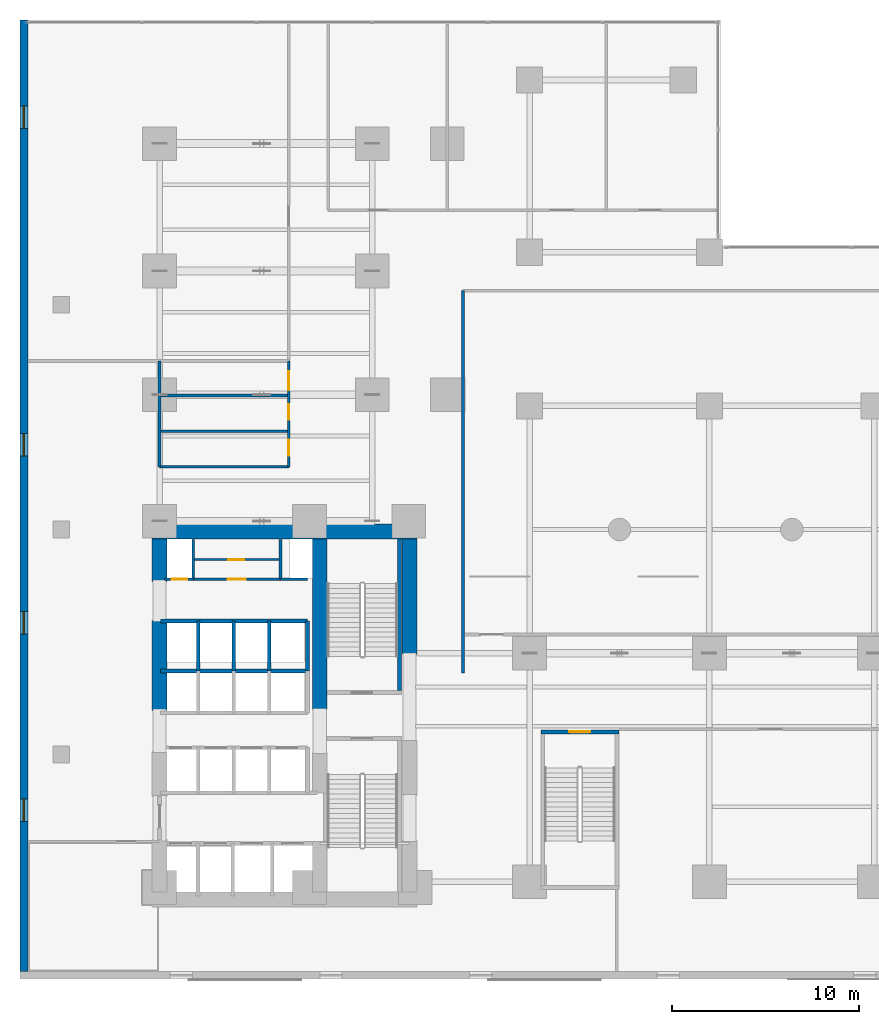
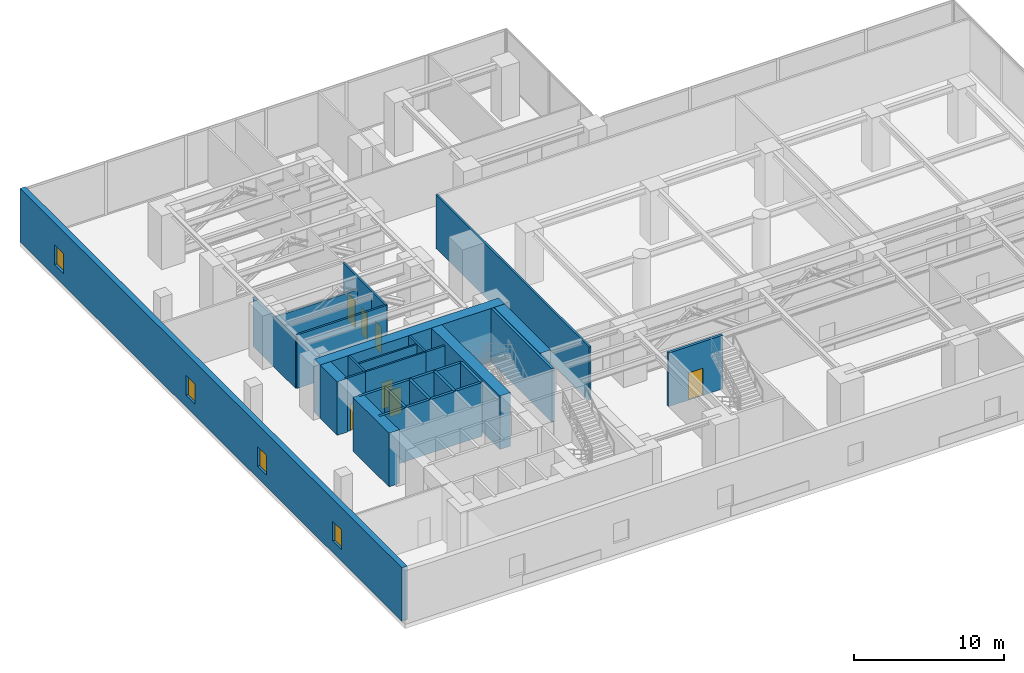
# One storey, part 15 of 18: 26 walls, 7 doors, 4 windows, 11 openings.
"""IFC4 building model written with IfcOpenShell, lengths in metres."""

from ifc_helpers import new_model, si_unit, direction, frame, frame_2d, origin, place, context, subcontext, project, spatial, rectangle, extrude, material, layer, layer_set, type_object, element, fill, save


model = new_model("IFC4")

# Units and contexts
model_context = context("Model", 3, precision=1e-05, world=origin(), true_north=direction((0.0, 1.0)))
body_context = subcontext(model_context, "Body", "Model", "MODEL_VIEW")
ifc_project = project(units=[si_unit("LENGTHUNIT", "METRE"), si_unit("AREAUNIT", "SQUARE_METRE"), si_unit("VOLUMEUNIT", "CUBIC_METRE"), si_unit("PLANEANGLEUNIT", "RADIAN"), si_unit("MASSUNIT", "GRAM", prefix="KILO")], contexts=[model_context])

# Site, building, storey
site_placement = place(None, origin())
site = spatial("IfcSite", under=ifc_project, at=site_placement, CompositionType="ELEMENT")
building_placement = place(site_placement, origin())
building = spatial("IfcBuilding", under=site, at=building_placement, Name="Kolvaren Waterfront Exchange", CompositionType="ELEMENT")
storey_placement = place(building_placement, frame((0.0, 0.0, 24.800048828125)))
storey = spatial("IfcBuildingStorey", under=building, at=storey_placement, Name="L06", CompositionType="ELEMENT", Elevation=24.800048828125)

# Wall, openings, windows
ifc_material_1 = material(Name="Precast concrete C40/50", Category="concrete")
ifc_layer_1 = layer(ifc_material_1, 0.419921875, Name="Precast concrete C40/50")
ifc_layer_set_1 = layer_set([ifc_layer_1], Name="Precast concrete C40/50")
wall_type_1 = type_object("IfcWallType", Name="ARC-EXT-GRANITE-420", PredefinedType="SOLIDWALL", material=ifc_layer_set_1)
wall_1_placement = place(storey_placement, frame((0.2099609375, 0.419921875, 0.0), z_axis=(0.0, 0.0, 1.0), x_axis=(0.0, 1.0, 0.0)))
wall_1 = element("IfcWall", 1, at=wall_1_placement, inside=storey, type_object=wall_type_1, Name="L06 west granite precast facade wall", PredefinedType="SOLIDWALL", context=body_context, shape_type="SweptSolid", body=[
    extrude(rectangle(XDim=50.780029296875, YDim=0.419921875, at=frame_2d((25.39013671875, 0.0))), origin(), (0.0, 0.0, 1.0), 4.349853515625),
])
opening_1_placement = place(wall_1_placement, frame((8.0, 0.0, 0.949951171875)))
opening_1 = element("IfcOpeningElement", 2, at=opening_1_placement, cuts=wall_1, Name="Opening W01", PredefinedType="OPENING", context=body_context, shape_type="SweptSolid", body=[
    extrude(rectangle(XDim=1.199951171875, YDim=1.60009765625, at=frame_2d((0.60009765625, 0.800048828125))), frame((0.0, 0.219970703125, 0.0), z_axis=(0.0, -1.0, 0.0), x_axis=(1.0, 0.0, 0.0)), (0.0, 0.0, 1.0), 0.43994140625),
])
opening_2_placement = place(wall_1_placement, frame((18.0, 0.0, 0.949951171875)))
opening_2 = element("IfcOpeningElement", 3, at=opening_2_placement, cuts=wall_1, Name="Opening W01", PredefinedType="OPENING", context=body_context, shape_type="SweptSolid", body=[
    extrude(rectangle(XDim=1.199951171875, YDim=1.60009765625, at=frame_2d((0.60009765625, 0.800048828125))), frame((0.0, 0.219970703125, 0.0), z_axis=(0.0, -1.0, 0.0), x_axis=(1.0, 0.0, 0.0)), (0.0, 0.0, 1.0), 0.43994140625),
])
opening_3_placement = place(wall_1_placement, frame((27.5, 0.0, 0.949951171875)))
opening_3 = element("IfcOpeningElement", 4, at=opening_3_placement, cuts=wall_1, Name="Opening W01", PredefinedType="OPENING", context=body_context, shape_type="SweptSolid", body=[
    extrude(rectangle(XDim=1.199951171875, YDim=1.60009765625, at=frame_2d((0.60009765625, 0.800048828125))), frame((0.0, 0.219970703125, 0.0), z_axis=(0.0, -1.0, 0.0), x_axis=(1.0, 0.0, 0.0)), (0.0, 0.0, 1.0), 0.43994140625),
])
opening_4_placement = place(wall_1_placement, frame((45.0, 0.0, 0.949951171875)))
opening_4 = element("IfcOpeningElement", 5, at=opening_4_placement, cuts=wall_1, Name="Opening W01", PredefinedType="OPENING", context=body_context, shape_type="SweptSolid", body=[
    extrude(rectangle(XDim=1.199951171875, YDim=1.60009765625, at=frame_2d((0.60009765625, 0.800048828125))), frame((0.0, 0.219970703125, 0.0), z_axis=(0.0, -1.0, 0.0), x_axis=(1.0, 0.0, 0.0)), (0.0, 0.0, 1.0), 0.43994140625),
])
ifc_material_2 = material(Name="Bronze solar control vision glass", Category="aluminium")
window_type = type_object("IfcWindowType", Name="ARC-WIN-1200x1600", PartitioningType="SINGLE_PANEL", PredefinedType="WINDOW", material=ifc_material_2)
window_1_placement = place(opening_1_placement, origin())
window_1 = element("IfcWindow", 6, at=window_1_placement, inside=storey, type_object=window_type, Name="L06 west modular window 1", OverallHeight=1.60009765625, OverallWidth=1.199951171875, PartitioningType="SINGLE_PANEL", PredefinedType="WINDOW", context=body_context, shape_type="SweptSolid", body=[
    extrude(rectangle(XDim=1.199951171875, YDim=1.60009765625, at=frame_2d((0.60009765625, 0.800048828125))), frame((0.0, 0.030029296875, 0.0), z_axis=(0.0, -1.0, 0.0), x_axis=(1.0, 0.0, 0.0)), (0.0, 0.0, 1.0), 0.06005859375),
])
fill(opening_1, window_1)
window_2_placement = place(opening_2_placement, origin())
window_2 = element("IfcWindow", 7, at=window_2_placement, inside=storey, type_object=window_type, Name="L06 west modular window 2", OverallHeight=1.60009765625, OverallWidth=1.199951171875, PartitioningType="SINGLE_PANEL", PredefinedType="WINDOW", context=body_context, shape_type="SweptSolid", body=[
    extrude(rectangle(XDim=1.199951171875, YDim=1.60009765625, at=frame_2d((0.60009765625, 0.800048828125))), frame((0.0, 0.030029296875, 0.0), z_axis=(0.0, -1.0, 0.0), x_axis=(1.0, 0.0, 0.0)), (0.0, 0.0, 1.0), 0.06005859375),
])
fill(opening_2, window_2)
window_3_placement = place(opening_3_placement, origin())
window_3 = element("IfcWindow", 8, at=window_3_placement, inside=storey, type_object=window_type, Name="L06 west modular window 3", OverallHeight=1.60009765625, OverallWidth=1.199951171875, PartitioningType="SINGLE_PANEL", PredefinedType="WINDOW", context=body_context, shape_type="SweptSolid", body=[
    extrude(rectangle(XDim=1.199951171875, YDim=1.60009765625, at=frame_2d((0.60009765625, 0.800048828125))), frame((0.0, 0.030029296875, 0.0), z_axis=(0.0, -1.0, 0.0), x_axis=(1.0, 0.0, 0.0)), (0.0, 0.0, 1.0), 0.06005859375),
])
fill(opening_3, window_3)
window_4_placement = place(opening_4_placement, origin())
window_4 = element("IfcWindow", 9, at=window_4_placement, inside=storey, type_object=window_type, Name="L06 west modular window 4", OverallHeight=1.60009765625, OverallWidth=1.199951171875, PartitioningType="SINGLE_PANEL", PredefinedType="WINDOW", context=body_context, shape_type="SweptSolid", body=[
    extrude(rectangle(XDim=1.199951171875, YDim=1.60009765625, at=frame_2d((0.60009765625, 0.800048828125))), frame((0.0, 0.030029296875, 0.0), z_axis=(0.0, -1.0, 0.0), x_axis=(1.0, 0.0, 0.0)), (0.0, 0.0, 1.0), 0.06005859375),
])
fill(opening_4, window_4)

# Wall, opening, door
ifc_material_3 = material(Name="Acoustic gypsum steel stud", Category="steel")
ifc_layer_2 = layer(ifc_material_3, 0.125, Name="Acoustic gypsum steel stud")
ifc_layer_set_2 = layer_set([ifc_layer_2], Name="Acoustic gypsum steel stud")
wall_type_2 = type_object("IfcWallType", Name="ARC-PART-125", PredefinedType="PARTITIONING", material=ifc_layer_set_2)
wall_2_placement = place(storey_placement, frame((9.25, 21.35009765625, 0.0), z_axis=(0.0, 0.0, 1.0), x_axis=(1.0, 0.0, 0.0)))
wall_2 = element("IfcWall", 10, at=wall_2_placement, inside=storey, type_object=wall_type_2, Name="L06 interior wall PW-L06-SVC-EX-S", PredefinedType="PARTITIONING", context=body_context, shape_type="SweptSolid", body=[
    extrude(rectangle(XDim=4.64990234375, YDim=0.125, at=frame_2d((2.324951171875, 0.0))), origin(), (0.0, 0.0, 1.0), 4.349853515625),
])
opening_5_placement = place(wall_2_placement, frame((1.85009765625, 0.0, 0.0)))
opening_5 = element("IfcOpeningElement", 11, at=opening_5_placement, cuts=wall_2, Name="Opening D02", PredefinedType="OPENING", context=body_context, shape_type="SweptSolid", body=[
    extrude(rectangle(XDim=0.949951171875, YDim=2.14990234375, at=frame_2d((0.47509765625, 1.074951171875))), frame((0.0, 0.072509765625, 0.0), z_axis=(0.0, -1.0, 0.0), x_axis=(1.0, 0.0, 0.0)), (0.0, 0.0, 1.0), 0.14501953125),
])
ifc_material_4 = material(Name="Oak veneer acoustic timber", Category="wood")
door_type_1 = type_object("IfcDoorType", Name="ARC-DR-950", OperationType="NOTDEFINED", PredefinedType="DOOR", material=ifc_material_4)
door_1_placement = place(opening_5_placement, origin())
door_1 = element("IfcDoor", 12, at=door_1_placement, inside=storey, type_object=door_type_1, Name="L06 door DR-L06-SVC-DR-1 (D02)", OperationType="SINGLE_SWING_RIGHT", OverallHeight=2.14990234375, OverallWidth=0.949951171875, PredefinedType="DOOR", context=body_context, shape_type="SweptSolid", body=[
    extrude(rectangle(XDim=0.949951171875, YDim=2.14990234375, at=frame_2d((0.47509765625, 1.074951171875))), frame((0.0, 0.02490234375, 0.0), z_axis=(0.0, -1.0, 0.0), x_axis=(1.0, 0.0, 0.0)), (0.0, 0.0, 1.0), 0.050048828125),
])
fill(opening_5, door_1)

wall_3_placement = place(storey_placement, frame((9.25, 22.39990234375, 0.0), z_axis=(0.0, 0.0, 1.0), x_axis=(1.0, 0.0, 0.0)))
wall_3 = element("IfcWall", 13, at=wall_3_placement, inside=storey, type_object=wall_type_2, Name="L06 interior wall PW-L06-SVC-EX-HS", PredefinedType="PARTITIONING", context=body_context, shape_type="SweptSolid", body=[
    extrude(rectangle(XDim=4.64990234375, YDim=0.125, at=frame_2d((2.324951171875, 0.0))), origin(), (0.0, 0.0, 1.0), 4.349853515625),
])
opening_6_placement = place(wall_3_placement, frame((1.875, 0.0, 0.0)))
opening_6 = element("IfcOpeningElement", 14, at=opening_6_placement, cuts=wall_3, Name="Opening D01", PredefinedType="OPENING", context=body_context, shape_type="SweptSolid", body=[
    extrude(rectangle(XDim=0.85009765625, YDim=2.14990234375, at=frame_2d((0.425048828125, 1.074951171875))), frame((0.0, 0.072509765625, 0.0), z_axis=(0.0, -1.0, 0.0), x_axis=(1.0, 0.0, 0.0)), (0.0, 0.0, 1.0), 0.14501953125),
])
ifc_material_5 = material(Name="Oak veneer timber leaf", Category="wood")
door_type_2 = type_object("IfcDoorType", Name="ARC-DR-900", OperationType="NOTDEFINED", PredefinedType="DOOR", material=ifc_material_5)
door_2_placement = place(opening_6_placement, origin())
door_2 = element("IfcDoor", 15, at=door_2_placement, inside=storey, type_object=door_type_2, Name="L06 door DR-L06-SVC-DR-2 (D01)", OperationType="SINGLE_SWING_LEFT", OverallHeight=2.14990234375, OverallWidth=0.85009765625, PredefinedType="DOOR", context=body_context, shape_type="SweptSolid", body=[
    extrude(rectangle(XDim=0.85009765625, YDim=2.14990234375, at=frame_2d((0.425048828125, 1.074951171875))), frame((0.0, 0.02490234375, 0.0), z_axis=(0.0, -1.0, 0.0), x_axis=(1.0, 0.0, 0.0)), (0.0, 0.0, 1.0), 0.050048828125),
])
fill(opening_6, door_2)

# Walls
ifc_material_6 = material(Name="Gypsum fireboard steel stud", Category="steel")
ifc_layer_3 = layer(ifc_material_6, 0.14990234375, Name="Gypsum fireboard steel stud")
ifc_layer_set_3 = layer_set([ifc_layer_3], Name="Gypsum fireboard steel stud")
wall_type_3 = type_object("IfcWallType", Name="ARC-PART-150", PredefinedType="PARTITIONING", material=ifc_layer_set_3)
for number, where, z_axis, x_axis, name in (
    (16, (9.25, 21.35009765625, 0.0), (0.0, 0.0, 1.0), (0.0, 1.0, 0.0), "L06 interior wall PW-L06-SVC-R1"),
    (17, (13.89990234375, 21.35009765625, 0.0), (0.0, 0.0, 1.0), (0.0, 1.0, 0.0), "L06 interior wall PW-L06-SVC-R2"),
):
    element("IfcWall", number, at=place(storey_placement, frame(where, z_axis=z_axis, x_axis=x_axis)), inside=storey, type_object=wall_type_3, Name=name, PredefinedType="PARTITIONING", context=body_context, shape_type="SweptSolid", body=[
        extrude(rectangle(XDim=2.1298828125, YDim=0.14990234375, at=frame_2d((1.06494140625, 0.0))), origin(), (0.0, 0.0, 1.0), 4.349853515625),
    ])

# Wall, opening, door
wall_4_placement = place(storey_placement, frame((7.699951171875, 21.35009765625, 0.0), z_axis=(0.0, 0.0, 1.0), x_axis=(1.0, 0.0, 0.0)))
wall_4 = element("IfcWall", 18, at=wall_4_placement, inside=storey, type_object=wall_type_3, Name="L06 interior wall PW-L06-SVC-RE-S", PredefinedType="PARTITIONING", context=body_context, shape_type="SweptSolid", body=[
    extrude(rectangle(XDim=1.550048828125, YDim=0.14990234375, at=frame_2d((0.77490234375, 0.0))), origin(), (0.0, 0.0, 1.0), 4.349853515625),
])
opening_7_placement = place(wall_4_placement, frame((0.389892578125, 0.0, 0.0)))
opening_7 = element("IfcOpeningElement", 19, at=opening_7_placement, cuts=wall_4, Name="Opening FD1", PredefinedType="OPENING", context=body_context, shape_type="SweptSolid", body=[
    extrude(rectangle(XDim=0.85009765625, YDim=2.14990234375, at=frame_2d((0.425048828125, 1.074951171875))), frame((0.0, 0.0849609375, 0.0), z_axis=(0.0, -1.0, 0.0), x_axis=(1.0, 0.0, 0.0)), (0.0, 0.0, 1.0), 0.169921875),
])
ifc_material_7 = material(Name="Pressed steel fire leaf", Category="steel")
door_type_3 = type_object("IfcDoorType", Name="ARC-FD-900", OperationType="NOTDEFINED", PredefinedType="DOOR", material=ifc_material_7)
door_3_placement = place(opening_7_placement, origin())
door_3 = element("IfcDoor", 20, at=door_3_placement, inside=storey, type_object=door_type_3, Name="L06 door DR-L06-RISER-E-DR (FD1)", OperationType="SINGLE_SWING_LEFT", OverallHeight=2.14990234375, OverallWidth=0.85009765625, PredefinedType="DOOR", context=body_context, shape_type="SweptSolid", body=[
    extrude(rectangle(XDim=0.85009765625, YDim=2.14990234375, at=frame_2d((0.425048828125, 1.074951171875))), frame((0.0, 0.02490234375, 0.0), z_axis=(0.0, -1.0, 0.0), x_axis=(1.0, 0.0, 0.0)), (0.0, 0.0, 1.0), 0.050048828125),
])
fill(opening_7, door_3)

# Walls
wall_5_placement = place(storey_placement, frame((13.89990234375, 21.35009765625, 0.0), z_axis=(0.0, 0.0, 1.0), x_axis=(1.0, 0.0, 0.0)))
element("IfcWall", 21, at=wall_5_placement, inside=storey, type_object=wall_type_3, Name="L06 interior wall PW-L06-SVC-RP-S", PredefinedType="PARTITIONING", context=body_context, shape_type="SweptSolid", body=[
    extrude(rectangle(XDim=1.4501953125, YDim=0.14990234375, at=frame_2d((0.72509765625, 0.0))), origin(), (0.0, 0.0, 1.0), 4.349853515625),
])
wall_6_placement = place(storey_placement, frame((23.64990234375, 16.35009765625, 0.0), z_axis=(0.0, 0.0, 1.0), x_axis=(0.0, 1.0, 0.0)))
element("IfcWall", 22, at=wall_6_placement, inside=storey, type_object=wall_type_3, Name="L06 interior wall PW-L06-POD-HALL-W", PredefinedType="PARTITIONING", context=body_context, shape_type="SweptSolid", body=[
    extrude(rectangle(XDim=20.39990234375, YDim=0.14990234375, at=frame_2d((10.199951171875, 0.0))), origin(), (0.0, 0.0, 1.0), 4.349853515625),
])
ifc_material_8 = material(Name="Moisture-resistant gypsum stud")
ifc_layer_4 = layer(ifc_material_8, 0.14990234375, Name="Moisture-resistant gypsum stud")
ifc_layer_set_4 = layer_set([ifc_layer_4], Name="Moisture-resistant gypsum stud")
wall_type_4 = type_object("IfcWallType", Name="ARC-PLUMB-150", PredefinedType="PLUMBINGWALL", material=ifc_layer_set_4)
wall_7_placement = place(storey_placement, frame((7.449951171875, 27.35009765625, 0.0), z_axis=(0.0, 0.0, 1.0), x_axis=(1.0, 0.0, 0.0)))
element("IfcWall", 23, at=wall_7_placement, inside=storey, type_object=wall_type_4, Name="L06 interior wall PW-L06-WC-S0", PredefinedType="PLUMBINGWALL", context=body_context, shape_type="SweptSolid", body=[
    extrude(rectangle(XDim=6.900146484375, YDim=0.14990234375, at=frame_2d((3.4501953125, 0.0))), origin(), (0.0, 0.0, 1.0), 4.349853515625),
])
wall_8_placement = place(storey_placement, frame((7.449951171875, 27.35009765625, 0.0), z_axis=(0.0, 0.0, 1.0), x_axis=(0.0, 1.0, 0.0)))
element("IfcWall", 24, at=wall_8_placement, inside=storey, type_object=wall_type_4, Name="L06 interior wall PW-L06-WC-W0", PredefinedType="PLUMBINGWALL", context=body_context, shape_type="SweptSolid", body=[
    extrude(rectangle(XDim=5.64990234375, YDim=0.14990234375, at=frame_2d((2.824951171875, 0.0))), origin(), (0.0, 0.0, 1.0), 3.989990234375),
])

# Wall, openings, doors
wall_9_placement = place(storey_placement, frame((14.35009765625, 27.35009765625, 0.0), z_axis=(0.0, 0.0, 1.0), x_axis=(0.0, 1.0, 0.0)))
wall_9 = element("IfcWall", 25, at=wall_9_placement, inside=storey, type_object=wall_type_4, Name="L06 interior wall PW-L06-WC-E", PredefinedType="PLUMBINGWALL", context=body_context, shape_type="SweptSolid", body=[
    extrude(rectangle(XDim=5.64990234375, YDim=0.14990234375, at=frame_2d((2.824951171875, 0.0))), origin(), (0.0, 0.0, 1.0), 4.349853515625),
])
opening_8_placement = place(wall_9_placement, frame((0.60009765625, 0.0, 0.0)))
opening_8 = element("IfcOpeningElement", 26, at=opening_8_placement, cuts=wall_9, Name="Opening D01", PredefinedType="OPENING", context=body_context, shape_type="SweptSolid", body=[
    extrude(rectangle(XDim=0.85009765625, YDim=2.14990234375, at=frame_2d((0.425048828125, 1.074951171875))), frame((0.0, 0.0849609375, 0.0), z_axis=(0.0, -1.0, 0.0), x_axis=(1.0, 0.0, 0.0)), (0.0, 0.0, 1.0), 0.169921875),
])
opening_9_placement = place(wall_9_placement, frame((2.5, 0.0, 0.0)))
opening_9 = element("IfcOpeningElement", 27, at=opening_9_placement, cuts=wall_9, Name="Opening D01", PredefinedType="OPENING", context=body_context, shape_type="SweptSolid", body=[
    extrude(rectangle(XDim=0.85009765625, YDim=2.14990234375, at=frame_2d((0.425048828125, 1.074951171875))), frame((0.0, 0.0849609375, 0.0), z_axis=(0.0, -1.0, 0.0), x_axis=(1.0, 0.0, 0.0)), (0.0, 0.0, 1.0), 0.169921875),
])
opening_10_placement = place(wall_9_placement, frame((4.10009765625, 0.0, 0.0)))
opening_10 = element("IfcOpeningElement", 28, at=opening_10_placement, cuts=wall_9, Name="Opening D03", PredefinedType="OPENING", context=body_context, shape_type="SweptSolid", body=[
    extrude(rectangle(XDim=1.0, YDim=2.199951171875, at=frame_2d((0.5, 1.10009765625))), frame((0.0, 0.0849609375, 0.0), z_axis=(0.0, -1.0, 0.0), x_axis=(1.0, 0.0, 0.0)), (0.0, 0.0, 1.0), 0.169921875),
])
ifc_material_9 = material(Name="Oak veneer accessible timber", Category="wood")
door_type_4 = type_object("IfcDoorType", Name="ARC-DR-1000", OperationType="NOTDEFINED", PredefinedType="DOOR", material=ifc_material_9)
door_4_placement = place(opening_10_placement, origin())
door_4 = element("IfcDoor", 29, at=door_4_placement, inside=storey, type_object=door_type_4, Name="L06 door DR-L06-WCA-D (D03)", OperationType="SINGLE_SWING_RIGHT", OverallHeight=2.199951171875, OverallWidth=1.0, PredefinedType="DOOR", context=body_context, shape_type="SweptSolid", body=[
    extrude(rectangle(XDim=1.0, YDim=2.199951171875, at=frame_2d((0.5, 1.10009765625))), frame((0.0, 0.02490234375, 0.0), z_axis=(0.0, -1.0, 0.0), x_axis=(1.0, 0.0, 0.0)), (0.0, 0.0, 1.0), 0.050048828125),
])
fill(opening_10, door_4)
door_5_placement = place(opening_8_placement, origin())
door_5 = element("IfcDoor", 30, at=door_5_placement, inside=storey, type_object=door_type_2, Name="L06 door DR-L06-WCM-D (D01)", OperationType="SINGLE_SWING_RIGHT", OverallHeight=2.14990234375, OverallWidth=0.85009765625, PredefinedType="DOOR", context=body_context, shape_type="SweptSolid", body=[
    extrude(rectangle(XDim=0.85009765625, YDim=2.14990234375, at=frame_2d((0.425048828125, 1.074951171875))), frame((0.0, 0.02490234375, 0.0), z_axis=(0.0, -1.0, 0.0), x_axis=(1.0, 0.0, 0.0)), (0.0, 0.0, 1.0), 0.050048828125),
])
fill(opening_8, door_5)
door_6_placement = place(opening_9_placement, origin())
door_6 = element("IfcDoor", 31, at=door_6_placement, inside=storey, type_object=door_type_2, Name="L06 door DR-L06-WCF-D (D01)", OperationType="SINGLE_SWING_LEFT", OverallHeight=2.14990234375, OverallWidth=0.85009765625, PredefinedType="DOOR", context=body_context, shape_type="SweptSolid", body=[
    extrude(rectangle(XDim=0.85009765625, YDim=2.14990234375, at=frame_2d((0.425048828125, 1.074951171875))), frame((0.0, 0.02490234375, 0.0), z_axis=(0.0, -1.0, 0.0), x_axis=(1.0, 0.0, 0.0)), (0.0, 0.0, 1.0), 0.050048828125),
])
fill(opening_9, door_6)

# Walls
wall_10_placement = place(storey_placement, frame((7.449951171875, 29.25, 0.0), z_axis=(0.0, 0.0, 1.0), x_axis=(1.0, 0.0, 0.0)))
element("IfcWall", 32, at=wall_10_placement, inside=storey, type_object=wall_type_4, Name="L06 interior wall PW-L06-WC-N1", PredefinedType="PLUMBINGWALL", context=body_context, shape_type="SweptSolid", body=[
    extrude(rectangle(XDim=6.900146484375, YDim=0.14990234375, at=frame_2d((3.4501953125, 0.0))), origin(), (0.0, 0.0, 1.0), 3.849853515625),
])
wall_11_placement = place(storey_placement, frame((7.449951171875, 31.14990234375, 0.0), z_axis=(0.0, 0.0, 1.0), x_axis=(1.0, 0.0, 0.0)))
element("IfcWall", 33, at=wall_11_placement, inside=storey, type_object=wall_type_4, Name="L06 interior wall PW-L06-WC-N2", PredefinedType="PLUMBINGWALL", context=body_context, shape_type="SweptSolid", body=[
    extrude(rectangle(XDim=6.900146484375, YDim=0.14990234375, at=frame_2d((3.4501953125, 0.0))), origin(), (0.0, 0.0, 1.0), 3.322021484375),
])
ifc_material_10 = material(Name="Concrete C40/50", Category="concrete")
ifc_layer_5 = layer(ifc_material_10, 0.199951171875, Name="Concrete C40/50")
ifc_layer_set_5 = layer_set([ifc_layer_5], Name="Concrete C40/50")
wall_type_5 = type_object("IfcWallType", Name="ARC-SHAFT-200", PredefinedType="PARTITIONING", material=ifc_layer_set_5)
wall_12_placement = place(storey_placement, frame((20.260009765625, 15.39990234375, 0.0), z_axis=(0.0, 0.0, 1.0), x_axis=(0.0, 1.0, 0.0)))
element("IfcWall", 34, at=wall_12_placement, inside=storey, type_object=wall_type_5, Name="L06 structural stairwell wall PW-L06-ST2-E", PredefinedType="SHEAR", context=body_context, shape_type="SweptSolid", body=[
    extrude(rectangle(XDim=8.090087890625, YDim=0.199951171875, at=frame_2d((4.044921875, 0.0))), origin(), (0.0, 0.0, 1.0), 4.349853515625),
])

# Wall, opening, door
wall_13_placement = place(storey_placement, frame((27.800048828125, 13.199951171875, 0.0), z_axis=(0.0, 0.0, 1.0), x_axis=(1.0, 0.0, 0.0)))
wall_13 = element("IfcWall", 35, at=wall_13_placement, inside=storey, type_object=wall_type_5, Name="L06 structural stairwell wall PW-L06-ST3-N", PredefinedType="SHEAR", context=body_context, shape_type="SweptSolid", body=[
    extrude(rectangle(XDim=4.159912109375, YDim=0.199951171875, at=frame_2d((2.080078125, 0.0))), origin(), (0.0, 0.0, 1.0), 4.349853515625),
])
opening_11_placement = place(wall_13_placement, frame((1.530029296875, 0.0, 0.0)))
opening_11 = element("IfcOpeningElement", 36, at=opening_11_placement, cuts=wall_13, Name="Opening FD2", PredefinedType="OPENING", context=body_context, shape_type="SweptSolid", body=[
    extrude(rectangle(XDim=1.10009765625, YDim=2.199951171875, at=frame_2d((0.550048828125, 1.10009765625))), frame((0.0, 0.10986328125, 0.0), z_axis=(0.0, -1.0, 0.0), x_axis=(1.0, 0.0, 0.0)), (0.0, 0.0, 1.0), 0.219970703125),
])
ifc_material_11 = material(Name="Pressed steel smoke-seal fire door", Category="steel")
door_type_5 = type_object("IfcDoorType", Name="ARC-FD-1100", OperationType="NOTDEFINED", PredefinedType="DOOR", material=ifc_material_11)
door_7_placement = place(opening_11_placement, frame((1.10009765625, 0.0, 0.0), z_axis=(0.0, 0.0, 1.0), x_axis=(-1.0, 0.0, 0.0)))
door_7 = element("IfcDoor", 37, at=door_7_placement, inside=storey, type_object=door_type_5, Name="L06 door DR-L06-ST3-IN (FD2)", OperationType="SINGLE_SWING_LEFT", OverallHeight=2.199951171875, OverallWidth=1.10009765625, PredefinedType="DOOR", context=body_context, shape_type="SweptSolid", body=[
    extrude(rectangle(XDim=1.10009765625, YDim=2.199951171875, at=frame_2d((0.550048828125, 1.10009765625))), frame((0.0, 0.02490234375, 0.0), z_axis=(0.0, -1.0, 0.0), x_axis=(1.0, 0.0, 0.0)), (0.0, 0.0, 1.0), 0.050048828125),
])
fill(opening_11, door_7)

# Walls
for number, where, z_axis, x_axis, name in (
    (38, (7.5, 16.449951171875, 0.0), (0.0, 0.0, 1.0), (1.0, 0.0, 0.0), "L06 interior wall PW-L06-PM-N"),
    (39, (7.5, 19.1201171875, 0.0), (0.0, 0.0, 1.0), (1.0, 0.0, 0.0), "L06 interior wall PW-L06-PH-N"),
):
    element("IfcWall", number, at=place(storey_placement, frame(where, z_axis=z_axis, x_axis=x_axis)), inside=storey, type_object=wall_type_5, Name=name, PredefinedType="PARTITIONING", context=body_context, shape_type="SweptSolid", body=[
        extrude(rectangle(XDim=7.85009765625, YDim=0.199951171875, at=frame_2d((3.925048828125, 0.0))), origin(), (0.0, 0.0, 1.0), 4.349853515625),
    ])
for number, where, z_axis, x_axis, name in (
    (40, (15.35009765625, 16.449951171875, 0.0), (0.0, 0.0, 1.0), (0.0, 1.0, 0.0), "L06 interior wall PW-L06-PH-E"),
    (41, (9.52001953125, 16.449951171875, 0.0), (0.0, 0.0, 1.0), (0.0, 1.0, 0.0), "L06 interior wall PW-L06-SH4-DIV-95"),
    (42, (11.409912109375, 16.449951171875, 0.0), (0.0, 0.0, 1.0), (0.0, 1.0, 0.0), "L06 interior wall PW-L06-SH4-DIV-114"),
    (43, (13.300048828125, 16.449951171875, 0.0), (0.0, 0.0, 1.0), (0.0, 1.0, 0.0), "L06 interior wall PW-L06-SH4-DIV-133"),
):
    element("IfcWall", number, at=place(storey_placement, frame(where, z_axis=z_axis, x_axis=x_axis)), inside=storey, type_object=wall_type_5, Name=name, PredefinedType="PARTITIONING", context=body_context, shape_type="SweptSolid", body=[
        extrude(rectangle(XDim=2.670166015625, YDim=0.199951171875, at=frame_2d((1.3349609375, 0.0))), origin(), (0.0, 0.0, 1.0), 4.349853515625),
    ])
ifc_material_12 = material(Name="Concrete C70/85", Category="concrete")
ifc_layer_6 = layer(ifc_material_12, 0.800048828125, Name="Concrete C70/85")
ifc_layer_set_6 = layer_set([ifc_layer_6], Name="Concrete C70/85")
wall_type_6 = type_object("IfcWallType", Name="STR-CWALL-800", PredefinedType="SHEAR", material=ifc_layer_set_6)
wall_14_placement = place(storey_placement, frame((7.050048828125, 23.89990234375, 0.0), z_axis=(0.0, 0.0, 1.0), x_axis=(1.0, 0.0, 0.0)))
element("IfcWall", 44, at=wall_14_placement, inside=storey, type_object=wall_type_6, Name="L06 rear-core shear wall N", PredefinedType="SHEAR", context=body_context, shape_type="SweptSolid", body=[
    extrude(rectangle(XDim=14.14990234375, YDim=0.800048828125, at=frame_2d((7.074951171875, 0.0))), origin(), (0.0, 0.0, 1.0), 4.349853515625),
])
wall_15_placement = place(storey_placement, frame((7.449951171875, 14.35009765625, 0.0), z_axis=(0.0, 0.0, 1.0), x_axis=(0.0, 1.0, 0.0)))
element("IfcWall", 45, at=wall_15_placement, inside=storey, type_object=wall_type_6, Name="L06 rear-core shear wall W2B", PredefinedType="SHEAR", context=body_context, shape_type="SweptSolid", body=[
    extrude(rectangle(XDim=4.809814453125, YDim=0.800048828125, at=frame_2d((2.40478515625, 0.0))), origin(), (0.0, 0.0, 1.0), 4.349853515625),
])
wall_16_placement = place(storey_placement, frame((7.449951171875, 21.239990234375, 0.0), z_axis=(0.0, 0.0, 1.0), x_axis=(0.0, 1.0, 0.0)))
element("IfcWall", 46, at=wall_16_placement, inside=storey, type_object=wall_type_6, Name="L06 rear-core shear wall W3", PredefinedType="SHEAR", context=body_context, shape_type="SweptSolid", body=[
    extrude(rectangle(XDim=2.260009765625, YDim=0.800048828125, at=frame_2d((1.1298828125, 0.0))), origin(), (0.0, 0.0, 1.0), 4.349853515625),
])
wall_17_placement = place(storey_placement, frame((20.800048828125, 17.35009765625, 0.0), z_axis=(0.0, 0.0, 1.0), x_axis=(0.0, 1.0, 0.0)))
element("IfcWall", 47, at=wall_17_placement, inside=storey, type_object=wall_type_6, Name="L06 rear-core shear wall E3", PredefinedType="SHEAR", context=body_context, shape_type="SweptSolid", body=[
    extrude(rectangle(XDim=6.14990234375, YDim=0.800048828125, at=frame_2d((3.074951171875, 0.0))), origin(), (0.0, 0.0, 1.0), 4.349853515625),
])
wall_18_placement = place(storey_placement, frame((16.0, 14.39990234375, 0.0), z_axis=(0.0, 0.0, 1.0), x_axis=(0.0, 1.0, 0.0)))
element("IfcWall", 48, at=wall_18_placement, inside=storey, type_object=wall_type_6, Name="L06 rear-core shear wall M3", PredefinedType="SHEAR", context=body_context, shape_type="SweptSolid", body=[
    extrude(rectangle(XDim=9.10009765625, YDim=0.800048828125, at=frame_2d((4.550048828125, 0.0))), origin(), (0.0, 0.0, 1.0), 4.349853515625),
])

save(model, "model.ifc")
